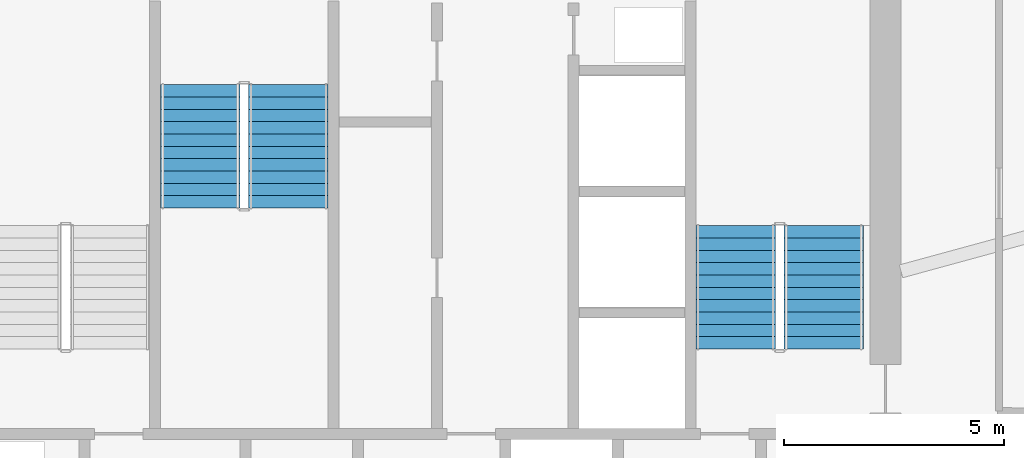
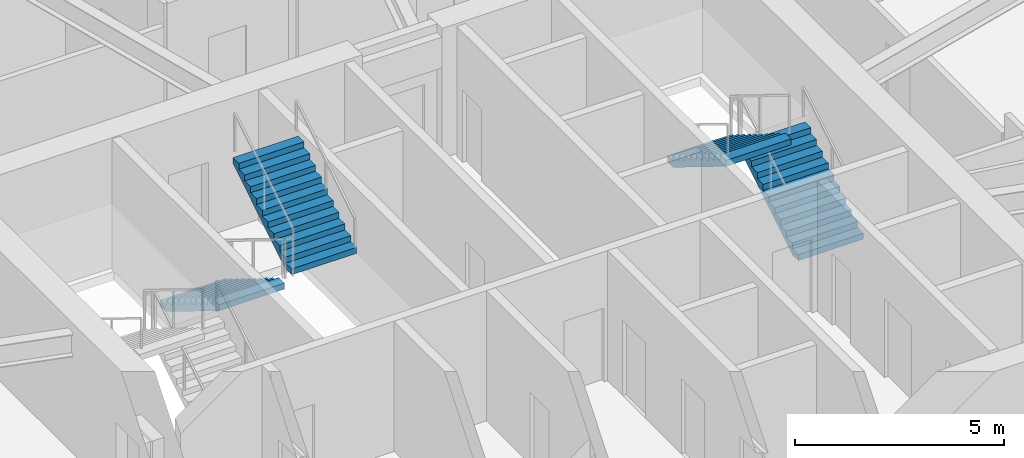
# One storey, part 27 of 30: 4 stair flights, 2 elements without a shape of their own.
"""IFC4 building model written with IfcOpenShell, lengths in metres."""

from ifc_helpers import new_model, si_unit, direction, frame, origin, place, context, subcontext, project, spatial, polyline, outline, extrude, material, type_object, element, aggregate, save


model = new_model("IFC4")

# Units and contexts
model_context = context("Model", 3, precision=1e-05, world=origin(), true_north=direction((0.0, 1.0)))
body_context = subcontext(model_context, "Body", "Model", "MODEL_VIEW")
ifc_project = project(units=[si_unit("LENGTHUNIT", "METRE"), si_unit("AREAUNIT", "SQUARE_METRE"), si_unit("VOLUMEUNIT", "CUBIC_METRE"), si_unit("PLANEANGLEUNIT", "RADIAN"), si_unit("MASSUNIT", "GRAM", prefix="KILO")], contexts=[model_context])

# Site, building, storey
site_placement = place(None, origin())
site = spatial("IfcSite", under=ifc_project, at=site_placement, CompositionType="ELEMENT")
building_placement = place(site_placement, origin())
building = spatial("IfcBuilding", under=site, at=building_placement, Name="Zuhravey Tower", CompositionType="ELEMENT")
storey_placement = place(building_placement, frame((0.0, 0.0, 177.0)))
storey = spatial("IfcBuildingStorey", under=building, at=storey_placement, Name="L44", CompositionType="ELEMENT", Elevation=177.0)

# Stair, stair flights
ifc_material = material(Name="Concrete C40/50", Category="concrete")
stair_type = type_object("IfcStairType", Name="Housing Storey Stair Assembly 3800", PredefinedType="HALF_TURN_STAIR", material=ifc_material)
stair_1_placement = place(storey_placement, origin())
stair_1 = element("IfcStair", 1, at=stair_1_placement, inside=storey, type_object=stair_type, Name="L44 Core Exit Stair ST2", PredefinedType="HALF_TURN_STAIR")
stair_flight_type = type_object("IfcStairFlightType", Name="Housing Storey Stair Flight 3800", PredefinedType="STRAIGHT", material=ifc_material)
stair_flight_1_placement = place(storey_placement, frame((45.10009765625, 33.199951171875, 0.0), z_axis=(0.0, 0.0, 1.0), x_axis=(0.0, 1.0, 0.0)))
stair_flight_1 = element("IfcStairFlight", 2, at=stair_flight_1_placement, type_object=stair_flight_type, Name="ST2 flight 1", NumberOfRisers=11, NumberOfTreads=10, PredefinedType="STRAIGHT", RiserHeight=0.172727273, TreadLength=0.28, context=body_context, shape_type="SweptSolid", body=[
    extrude(outline(polyline([(0.0, 0.0), (0.0, 0.172607421875), (0.280029296875, 0.172607421875), (0.280029296875, 0.345458984375), (0.56005859375, 0.345458984375), (0.56005859375, 0.51806640625), (0.840087890625, 0.51806640625), (0.840087890625, 0.69091796875), (1.1201171875, 0.69091796875), (1.1201171875, 0.863525390625), (1.39990234375, 0.863525390625), (1.39990234375, 1.036376953125), (1.679931640625, 1.036376953125), (1.679931640625, 1.208984375), (1.9599609375, 1.208984375), (1.9599609375, 1.3818359375), (2.239990234375, 1.3818359375), (2.239990234375, 1.554443359375), (2.52001953125, 1.554443359375), (2.52001953125, 1.727294921875), (2.800048828125, 1.727294921875), (2.800048828125, 1.89990234375), (2.800048828125, 1.551025390625), (0.285400390625, 0.0), (0.0, 0.0)])), frame((0.0, 0.89990234375, 0.0), z_axis=(0.0, -1.0, 0.0), x_axis=(1.0, 0.0, 0.0)), (0.0, 0.0, 1.0), 1.800048828125),
])
stair_flight_2_placement = place(storey_placement, frame((43.10009765625, 36.0, 1.89990234375), z_axis=(0.0, 0.0, 1.0), x_axis=(0.0, -1.0, 0.0)))
stair_flight_2 = element("IfcStairFlight", 3, at=stair_flight_2_placement, type_object=stair_flight_type, Name="ST2 flight 2", NumberOfRisers=11, NumberOfTreads=10, PredefinedType="STRAIGHT", RiserHeight=0.172727273, TreadLength=0.28, context=body_context, shape_type="SweptSolid", body=[
    extrude(outline(polyline([(0.0, 0.0), (0.0, 0.172607421875), (0.280029296875, 0.172607421875), (0.280029296875, 0.345458984375), (0.56005859375, 0.345458984375), (0.56005859375, 0.51806640625), (0.840087890625, 0.51806640625), (0.840087890625, 0.69091796875), (1.1201171875, 0.69091796875), (1.1201171875, 0.863525390625), (1.39990234375, 0.863525390625), (1.39990234375, 1.036376953125), (1.679931640625, 1.036376953125), (1.679931640625, 1.208984375), (1.9599609375, 1.208984375), (1.9599609375, 1.3818359375), (2.239990234375, 1.3818359375), (2.239990234375, 1.554443359375), (2.52001953125, 1.554443359375), (2.52001953125, 1.727294921875), (2.800048828125, 1.727294921875), (2.800048828125, 1.89990234375), (2.800048828125, 1.551025390625), (0.285400390625, 0.0), (0.0, 0.0)])), frame((0.0, 0.89990234375, 0.0), z_axis=(0.0, -1.0, 0.0), x_axis=(1.0, 0.0, 0.0)), (0.0, 0.0, 1.0), 1.800048828125),
])
aggregate(stair_1, [stair_flight_1, stair_flight_2])

stair_2_placement = place(storey_placement, origin())
stair_2 = element("IfcStair", 4, at=stair_2_placement, inside=storey, type_object=stair_type, Name="L44 Core Exit Stair ST3", PredefinedType="HALF_TURN_STAIR")
stair_flight_3_placement = place(storey_placement, frame((30.949951171875, 39.199951171875, 0.0), z_axis=(0.0, 0.0, 1.0), x_axis=(0.0, -1.0, 0.0)))
stair_flight_3 = element("IfcStairFlight", 5, at=stair_flight_3_placement, type_object=stair_flight_type, Name="ST3 flight 1", NumberOfRisers=11, NumberOfTreads=10, PredefinedType="STRAIGHT", RiserHeight=0.172727273, TreadLength=0.28, context=body_context, shape_type="SweptSolid", body=[
    extrude(outline(polyline([(0.0, 0.0), (0.0, 0.172607421875), (0.280029296875, 0.172607421875), (0.280029296875, 0.345458984375), (0.56005859375, 0.345458984375), (0.56005859375, 0.51806640625), (0.840087890625, 0.51806640625), (0.840087890625, 0.69091796875), (1.1201171875, 0.69091796875), (1.1201171875, 0.863525390625), (1.39990234375, 0.863525390625), (1.39990234375, 1.036376953125), (1.679931640625, 1.036376953125), (1.679931640625, 1.208984375), (1.9599609375, 1.208984375), (1.9599609375, 1.3818359375), (2.239990234375, 1.3818359375), (2.239990234375, 1.554443359375), (2.52001953125, 1.554443359375), (2.52001953125, 1.727294921875), (2.800048828125, 1.727294921875), (2.800048828125, 1.89990234375), (2.800048828125, 1.551025390625), (0.285400390625, 0.0), (0.0, 0.0)])), frame((0.0, 0.89990234375, 0.0), z_axis=(0.0, -1.0, 0.0), x_axis=(1.0, 0.0, 0.0)), (0.0, 0.0, 1.0), 1.800048828125),
])
stair_flight_4_placement = place(storey_placement, frame((32.949951171875, 36.39990234375, 1.89990234375), z_axis=(0.0, 0.0, 1.0), x_axis=(0.0, 1.0, 0.0)))
stair_flight_4 = element("IfcStairFlight", 6, at=stair_flight_4_placement, type_object=stair_flight_type, Name="ST3 flight 2", NumberOfRisers=11, NumberOfTreads=10, PredefinedType="STRAIGHT", RiserHeight=0.172727273, TreadLength=0.28, context=body_context, shape_type="SweptSolid", body=[
    extrude(outline(polyline([(0.0, 0.0), (0.0, 0.172607421875), (0.280029296875, 0.172607421875), (0.280029296875, 0.345458984375), (0.56005859375, 0.345458984375), (0.56005859375, 0.51806640625), (0.840087890625, 0.51806640625), (0.840087890625, 0.69091796875), (1.1201171875, 0.69091796875), (1.1201171875, 0.863525390625), (1.39990234375, 0.863525390625), (1.39990234375, 1.036376953125), (1.679931640625, 1.036376953125), (1.679931640625, 1.208984375), (1.9599609375, 1.208984375), (1.9599609375, 1.3818359375), (2.239990234375, 1.3818359375), (2.239990234375, 1.554443359375), (2.52001953125, 1.554443359375), (2.52001953125, 1.727294921875), (2.800048828125, 1.727294921875), (2.800048828125, 1.89990234375), (2.800048828125, 1.551025390625), (0.285400390625, 0.0), (0.0, 0.0)])), frame((0.0, 0.89990234375, 0.0), z_axis=(0.0, -1.0, 0.0), x_axis=(1.0, 0.0, 0.0)), (0.0, 0.0, 1.0), 1.800048828125),
])
aggregate(stair_2, [stair_flight_3, stair_flight_4])

save(model, "model.ifc")
